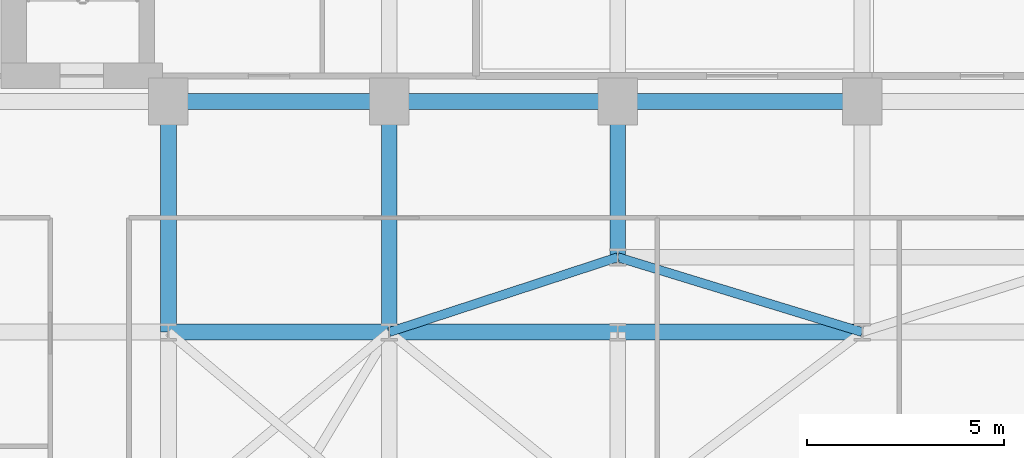
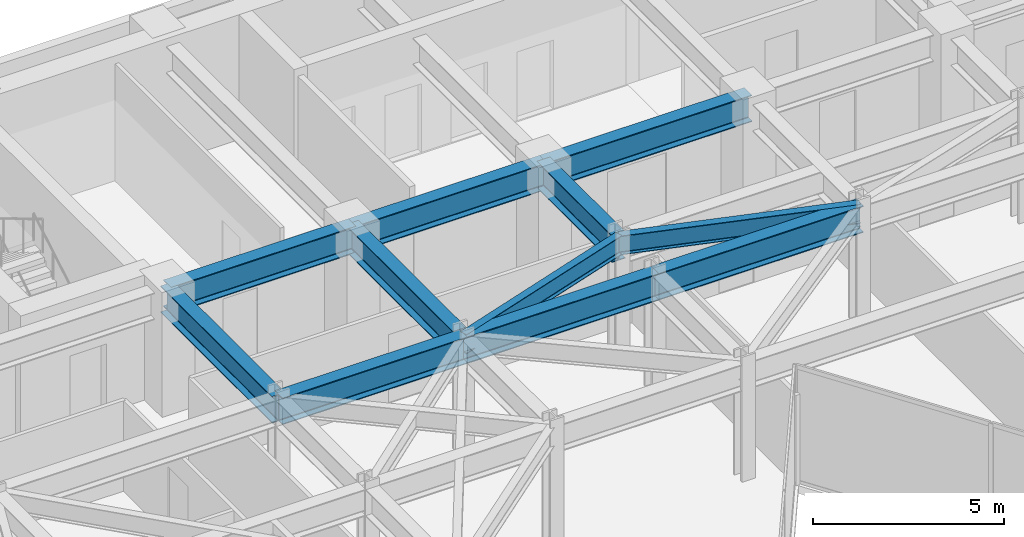
# One storey, part 14 of 26: 11 beams.
"""IFC4 building model written with IfcOpenShell, lengths in metres."""

from ifc_helpers import new_model, si_unit, direction, frame, origin, origin_2d, place, context, subcontext, project, spatial, i_section, extrude, material, material_profile, profile_set, type_object, element, save


model = new_model("IFC4")

# Units and contexts
model_context = context("Model", 3, precision=1e-05, world=origin(), true_north=direction((0.0, 1.0)))
body_context = subcontext(model_context, "Body", "Model", "MODEL_VIEW")
ifc_project = project(units=[si_unit("LENGTHUNIT", "METRE"), si_unit("AREAUNIT", "SQUARE_METRE"), si_unit("VOLUMEUNIT", "CUBIC_METRE"), si_unit("PLANEANGLEUNIT", "RADIAN"), si_unit("MASSUNIT", "GRAM", prefix="KILO")], contexts=[model_context])

# Site, building, storey
site_placement = place(None, origin())
site = spatial("IfcSite", under=ifc_project, at=site_placement, CompositionType="ELEMENT")
building_placement = place(site_placement, origin())
building = spatial("IfcBuilding", under=site, at=building_placement, Name="Kravanh Interchange Tower", CompositionType="ELEMENT")
storey_placement = place(building_placement, frame((0.0, 0.0, 140.0)))
storey = spatial("IfcBuildingStorey", under=building, at=storey_placement, Name="L33", CompositionType="ELEMENT", Elevation=140.0)

# Beams
ifc_material_1 = material(Name="Structural Steel S355", Category="steel")
ifc_material_profile_1 = material_profile(ifc_material_1, i_section(OverallWidth=0.39990234375, OverallDepth=0.85595703125, WebThickness=0.018310546875, FlangeThickness=0.029296875, FilletRadius=0.02490234375, at=origin_2d()), Name="W33X201")
ifc_profile_set_1 = profile_set([ifc_material_profile_1], Name="Structural Steel S355")
beam_type_1 = type_object("IfcBeamType", Name="Floor Beam W33X201 Structural Steel S355", PredefinedType="BEAM", material=ifc_profile_set_1)
beam_1_placement = place(storey_placement, frame((44.800048828125, 37.35009765625, 3.322021484375), z_axis=(-1.0, 0.0, 0.0), x_axis=(0.0, -1.0, 0.0)))
element("IfcBeam", 1, at=beam_1_placement, inside=storey, type_object=beam_type_1, Name="L33 Primary Floor Girder 13", PredefinedType="BEAM", context=body_context, shape_type="SweptSolid", body=[
    extrude(i_section(OverallWidth=0.39990234375, OverallDepth=0.85595703125, WebThickness=0.018310546875, FlangeThickness=0.029296875, FilletRadius=0.02490234375, at=origin_2d()), origin(), (0.0, 0.0, 1.0), 6.199951171875),
])
beam_2_placement = place(storey_placement, frame((38.60009765625, 37.35009765625, 3.322021484375), z_axis=(0.0, -1.0, 0.0), x_axis=(1.0, 0.0, 0.0)))
element("IfcBeam", 2, at=beam_2_placement, inside=storey, type_object=beam_type_1, Name="L33 Primary Floor Girder 16", PredefinedType="BEAM", context=body_context, shape_type="SweptSolid", body=[
    extrude(i_section(OverallWidth=0.39990234375, OverallDepth=0.85595703125, WebThickness=0.018310546875, FlangeThickness=0.029296875, FilletRadius=0.02490234375, at=origin_2d()), origin(), (0.0, 0.0, 1.0), 3.9501953125),
])
beam_3_placement = place(storey_placement, frame((38.60009765625, 37.35009765625, 3.322021484375), z_axis=(-1.0, 0.0, 0.0), x_axis=(0.0, -1.0, 0.0)))
element("IfcBeam", 3, at=beam_3_placement, inside=storey, type_object=beam_type_1, Name="L33 Primary Floor Girder 17", PredefinedType="BEAM", context=body_context, shape_type="SweptSolid", body=[
    extrude(i_section(OverallWidth=0.39990234375, OverallDepth=0.85595703125, WebThickness=0.018310546875, FlangeThickness=0.029296875, FilletRadius=0.02490234375, at=origin_2d()), origin(), (0.0, 0.0, 1.0), 5.800048828125),
])
beam_4_placement = place(storey_placement, frame((32.800048828125, 37.35009765625, 3.322021484375), z_axis=(-1.0, 0.0, 0.0), x_axis=(0.0, -1.0, 0.0)))
element("IfcBeam", 4, at=beam_4_placement, inside=storey, type_object=beam_type_1, Name="L33 Primary Floor Girder 20", PredefinedType="BEAM", context=body_context, shape_type="SweptSolid", body=[
    extrude(i_section(OverallWidth=0.39990234375, OverallDepth=0.85595703125, WebThickness=0.018310546875, FlangeThickness=0.029296875, FilletRadius=0.02490234375, at=origin_2d()), origin(), (0.0, 0.0, 1.0), 5.60009765625),
])
for number, where, z_axis, x_axis, name in (
    (5, (32.800048828125, 37.35009765625, 3.322021484375), (0.0, -1.0, 0.0), (1.0, 0.0, 0.0), "L33 Primary Floor Girder 21"),
    (6, (27.199951171875, 37.35009765625, 3.322021484375), (0.0, -1.0, 0.0), (1.0, 0.0, 0.0), "L33 Primary Floor Girder 24"),
):
    element("IfcBeam", number, at=place(storey_placement, frame(where, z_axis=z_axis, x_axis=x_axis)), inside=storey, type_object=beam_type_1, Name=name, PredefinedType="BEAM", context=body_context, shape_type="SweptSolid", body=[
        extrude(i_section(OverallWidth=0.39990234375, OverallDepth=0.85595703125, WebThickness=0.018310546875, FlangeThickness=0.029296875, FilletRadius=0.02490234375, at=origin_2d()), origin(), (0.0, 0.0, 1.0), 5.85009765625),
    ])
beam_5_placement = place(storey_placement, frame((27.199951171875, 31.5, 3.322021484375), z_axis=(1.0, 0.0, 0.0), x_axis=(0.0, 1.0, 0.0)))
element("IfcBeam", 7, at=beam_5_placement, inside=storey, type_object=beam_type_1, Name="L33 Primary Floor Girder 74", PredefinedType="BEAM", context=body_context, shape_type="SweptSolid", body=[
    extrude(i_section(OverallWidth=0.39990234375, OverallDepth=0.85595703125, WebThickness=0.018310546875, FlangeThickness=0.029296875, FilletRadius=0.02490234375, at=origin_2d()), origin(), (0.0, 0.0, 1.0), 5.60009765625),
])
beam_6_placement = place(storey_placement, frame((32.800048828125, 31.5, 3.322021484375), z_axis=(1.0, 0.0, 0.0), x_axis=(0.0, 1.0, 0.0)))
element("IfcBeam", 8, at=beam_6_placement, inside=storey, type_object=beam_type_1, Name="L33 Primary Floor Girder 78", PredefinedType="BEAM", context=body_context, shape_type="SweptSolid", body=[
    extrude(i_section(OverallWidth=0.39990234375, OverallDepth=0.85595703125, WebThickness=0.018310546875, FlangeThickness=0.029296875, FilletRadius=0.02490234375, at=origin_2d()), origin(), (0.0, 0.0, 1.0), 5.800048828125),
])
beam_7_placement = place(storey_placement, frame((38.60009765625, 31.5, 3.322021484375), z_axis=(1.0, 0.0, 0.0), x_axis=(0.0, 1.0, 0.0)))
element("IfcBeam", 9, at=beam_7_placement, inside=storey, type_object=beam_type_1, Name="L33 Primary Floor Girder 81", PredefinedType="BEAM", context=body_context, shape_type="SweptSolid", body=[
    extrude(i_section(OverallWidth=0.39990234375, OverallDepth=0.85595703125, WebThickness=0.018310546875, FlangeThickness=0.029296875, FilletRadius=0.02490234375, at=origin_2d()), origin(), (0.0, 0.0, 1.0), 6.199951171875),
])
ifc_material_2 = material(Name="Structural Steel S355", Category="steel")
ifc_material_profile_2 = material_profile(ifc_material_2, i_section(OverallWidth=0.22802734375, OverallDepth=0.60791015625, WebThickness=0.01123046875, FlangeThickness=0.017333984375, FilletRadius=0.02197265625, at=origin_2d()), Name="W24X76")
ifc_profile_set_2 = profile_set([ifc_material_profile_2], Name="Structural Steel S355")
beam_type_2 = type_object("IfcBeamType", Name="Floor Spandrel W24X76 Structural Steel S355", PredefinedType="SPANDREL", material=ifc_profile_set_2)
beam_8_placement = place(storey_placement, frame((32.800048828125, 31.5, 3.446044921875), z_axis=(0.950314536578, 0.31129131303, 0.0), x_axis=(-0.31129131303, 0.950314536578, 0.0)))
element("IfcBeam", 10, at=beam_8_placement, inside=storey, type_object=beam_type_2, Name="L33 Perimeter Spandrel 79", PredefinedType="SPANDREL", context=body_context, shape_type="SweptSolid", body=[
    extrude(i_section(OverallWidth=0.22802734375, OverallDepth=0.60791015625, WebThickness=0.01123046875, FlangeThickness=0.017333984375, FilletRadius=0.02197265625, at=origin_2d()), origin(), (0.0, 0.0, 1.0), 6.103271484375),
])
beam_9_placement = place(storey_placement, frame((44.800048828125, 31.5, 3.446044921875), z_axis=(-0.956115397264, 0.292990353279, 0.0), x_axis=(-0.292990353279, -0.956115397264, 0.0)))
element("IfcBeam", 11, at=beam_9_placement, inside=storey, type_object=beam_type_2, Name="L33 Perimeter Spandrel 85", PredefinedType="SPANDREL", context=body_context, shape_type="SweptSolid", body=[
    extrude(i_section(OverallWidth=0.22802734375, OverallDepth=0.60791015625, WebThickness=0.01123046875, FlangeThickness=0.017333984375, FilletRadius=0.02197265625, at=origin_2d()), origin(), (0.0, 0.0, 1.0), 6.484619140625),
])

save(model, "model.ifc")
